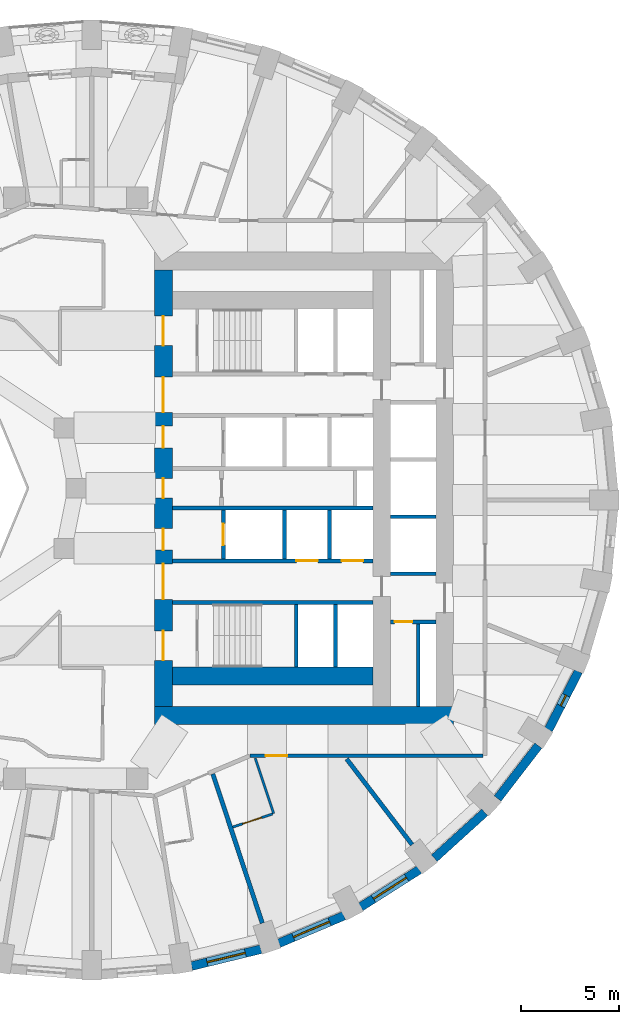
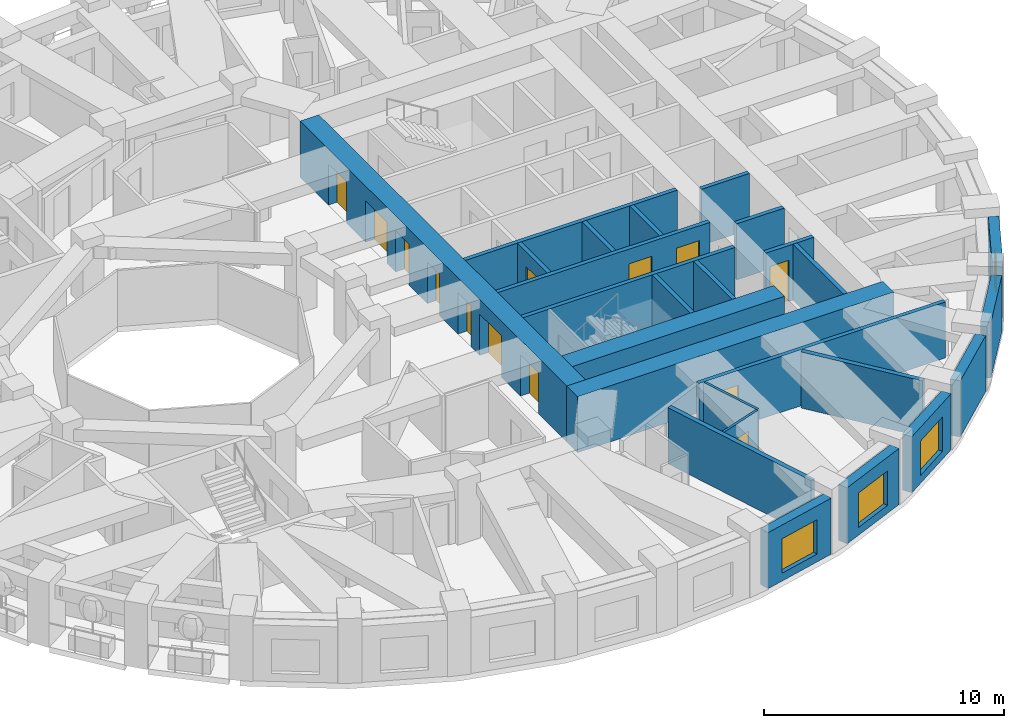
# One storey, part 5 of 12: 26 walls, 13 doors, 4 windows, 17 openings.
"""IFC4 building model written with IfcOpenShell, lengths in metres."""

import ifcopenshell
import ifcopenshell.guid

model = None  # the IFC model being written
_history = None  # IfcOwnerHistory: only IFC2X3 demands one
_inside = {}  # id of a spatial element -> (the spatial element, [elements in it])
_under = {}  # id of a project, library or spatial element -> (it, [spatial elements below it])
_declared = {}  # id of a project -> (the project, [libraries it declares])
_typed = {}  # id of a type object -> (the type object, [elements of that type])
_made_of = {}  # id of a material, layer set ... -> (it, [elements and type objects made of it])


def new_model(schema):
    """Start an empty IFC model of exactly this schema.

    Asked for "IFC4X3", IfcOpenShell would pick the latest addendum, in which some entities
    have other attributes; the version numbers below select the first issue.
    IFC2X3 requires an IfcOwnerHistory on every rooted entity: one is made here for all.
    """
    global model, _history
    if schema == "IFC4X3":
        model = ifcopenshell.file(schema_version=(4, 3, 0, 0))
    else:
        model = ifcopenshell.file(schema=schema)
    _inside.clear()
    _under.clear()
    _declared.clear()
    _typed.clear()
    _made_of.clear()
    _history = None
    if model.schema == "IFC2X3":
        org = make("IfcOrganization", Name="unknown")
        user = make(
            "IfcPersonAndOrganization",
            ThePerson=make("IfcPerson", FamilyName="unknown"),
            TheOrganization=org,
        )
        app = make(
            "IfcApplication",
            ApplicationDeveloper=org,
            Version="unknown",
            ApplicationFullName="unknown",
            ApplicationIdentifier="unknown",
        )
        _history = make(
            "IfcOwnerHistory",
            OwningUser=user,
            OwningApplication=app,
            ChangeAction="ADDED",
            CreationDate=0,
        )
    return model


def make(cls, **values):
    """One entity of the class cls with the attributes given. An attribute that is None is left unset."""
    return model.create_entity(
        cls, **{name: value for name, value in values.items() if value is not None}
    )


def rooted(cls, **values):
    """An entity with a GlobalId (a new one), such as an element, a storey or a relation."""
    return make(cls, GlobalId=ifcopenshell.guid.new(), OwnerHistory=_history, **values)


def si_unit(unit_type, name, prefix=None):
    """IfcSIUnit, for example si_unit("LENGTHUNIT", "METRE", prefix="MILLI")."""
    return make("IfcSIUnit", UnitType=unit_type, Prefix=prefix, Name=name)


def assignment(units):
    """IfcUnitAssignment: the units of a project."""
    return None if units is None else make("IfcUnitAssignment", Units=units)


def point(xyz):
    """IfcCartesianPoint."""
    return None if xyz is None else make("IfcCartesianPoint", Coordinates=xyz)


def direction(xyz):
    """IfcDirection."""
    return None if xyz is None else make("IfcDirection", DirectionRatios=xyz)


def frame(location, z_axis=None, x_axis=None):
    """IfcAxis2Placement3D, a coordinate frame: its origin and axes. An axis left out is left unset."""
    return make(
        "IfcAxis2Placement3D",
        Location=point(location),
        Axis=direction(z_axis),
        RefDirection=direction(x_axis),
    )


def frame_2d(location, x_axis=None):
    """IfcAxis2Placement2D, a coordinate frame in the plane: its origin and x axis."""
    return make(
        "IfcAxis2Placement2D", Location=point(location), RefDirection=direction(x_axis)
    )


def origin():
    """The frame at (0, 0, 0) with its axes left unset."""
    return frame((0.0, 0.0, 0.0))


def place(relative_to, where):
    """IfcLocalPlacement: puts the frame where relative to a parent placement (None: the world)."""
    return make(
        "IfcLocalPlacement", PlacementRelTo=relative_to, RelativePlacement=where
    )


def context(
    kind, dimensions, precision=None, world=None, true_north=None, identifier=None
):
    """IfcGeometricRepresentationContext, for example the 3D "Model" context."""
    return make(
        "IfcGeometricRepresentationContext",
        ContextIdentifier=identifier,
        ContextType=kind,
        CoordinateSpaceDimension=dimensions,
        Precision=precision,
        WorldCoordinateSystem=world,
        TrueNorth=true_north,
    )


def subcontext(parent, identifier, kind, view, scale=None):
    """IfcGeometricRepresentationSubContext, for example "Body" below "Model"."""
    return make(
        "IfcGeometricRepresentationSubContext",
        ContextIdentifier=identifier,
        ContextType=kind,
        ParentContext=parent,
        TargetScale=scale,
        TargetView=view,
    )


def project(units=None, contexts=None):
    """IfcProject with its units and contexts."""
    return rooted(
        "IfcProject",
        Name="project",
        RepresentationContexts=contexts,
        UnitsInContext=assignment(units),
    )


def spatial(cls, under=None, at=None, **own):
    """A site, building, storey or space (cls), placed at a placement, below another one or the project."""
    s = rooted(cls, ObjectPlacement=at, **own)
    if under is not None:
        _under.setdefault(under.id(), (under, []))[1].append(s)
    return s


def profile(cls, at=None, kind="AREA", **sizes):
    """A parametric profile (cls). Its sizes go by their IFC names, for example OverallWidth=200.0."""
    return make(cls, ProfileType=kind, Position=at, **sizes)


def rectangle(**sizes):
    """IfcRectangleProfileDef."""
    return profile("IfcRectangleProfileDef", **sizes)


def extrude(swept, where, along, depth):
    """IfcExtrudedAreaSolid: the profile swept, set in the frame where, extruded along a direction by depth."""
    return make(
        "IfcExtrudedAreaSolid",
        SweptArea=swept,
        Position=where,
        ExtrudedDirection=direction(along),
        Depth=depth,
    )


def shape(context_of_items, identifier, shape_type, items):
    """IfcShapeRepresentation: the items that make up one representation, for example the "Body"."""
    return make(
        "IfcShapeRepresentation",
        ContextOfItems=context_of_items,
        RepresentationIdentifier=identifier,
        RepresentationType=shape_type,
        Items=items,
    )


def material(Name=None, Category=None):
    """IfcMaterial."""
    return make("IfcMaterial", Name=Name, Category=Category)


def layer(
    of_material, thickness, ventilated=None, Name=None, Category=None, Priority=None
):
    """IfcMaterialLayer: one layer of a wall or slab, of a material (None: an air gap)."""
    return make(
        "IfcMaterialLayer",
        Material=of_material,
        LayerThickness=thickness,
        IsVentilated=ventilated,
        Name=Name,
        Category=Category,
        Priority=Priority,
    )


def layer_set(layers, Name=None):
    """IfcMaterialLayerSet."""
    return make("IfcMaterialLayerSet", MaterialLayers=layers, LayerSetName=Name)


def made_of(thing, what):
    """Note that an element or type object is made of a material, layer set ...; save() writes the relation."""
    if what is not None:
        _made_of.setdefault(what.id(), (what, []))[1].append(thing)
    return thing


def type_object(cls, material=None, **own):
    """A type object (cls), such as IfcWallType, which elements share."""
    return made_of(rooted(cls, **own), material)


def element(
    cls,
    number,
    at=None,
    inside=None,
    cuts=None,
    type_object=None,
    material=None,
    context=None,
    identifier="Body",
    shape_type=None,
    held_by="IfcProductDefinitionShape",
    body=None,
    shapes=None,
    **own,
):
    """One element of the class cls, such as IfcWall. Its Tag is "e" and its number.

    at: its placement. inside: the storey or other place that contains it. cuts: it is an
    opening in that element (IfcRelVoidsElement). A single representation is given by context,
    identifier, shape_type and body (its items); several are given by shapes. held_by: the class
    of the entity that holds the representations. save() writes the other relations.
    """
    e = rooted(cls, Tag="e%d" % number, ObjectPlacement=at, **own)
    if body is not None:
        shapes = [shape(context, identifier, shape_type, body)]
    if shapes is not None:
        e.Representation = make(held_by, Representations=shapes)
    if inside is not None:
        _inside.setdefault(inside.id(), (inside, []))[1].append(e)
    if cuts is not None:
        rooted(
            "IfcRelVoidsElement", RelatingBuildingElement=cuts, RelatedOpeningElement=e
        )
    if type_object is not None:
        _typed.setdefault(type_object.id(), (type_object, []))[1].append(e)
    return made_of(e, material)


def fill(opening, filler):
    """IfcRelFillsElement: the door or window that sits in an opening."""
    return rooted(
        "IfcRelFillsElement",
        RelatingOpeningElement=opening,
        RelatedBuildingElement=filler,
    )


def aggregate(whole, parts):
    """IfcRelAggregates: a whole, such as a stair, and the parts it consists of."""
    return rooted("IfcRelAggregates", RelatingObject=whole, RelatedObjects=parts)


def save(model, path):
    """Write the relations noted so far, then the file.

    IfcRelAggregates (storeys below a building ...), IfcRelContainedInSpatialStructure (elements
    in a storey), IfcRelDefinesByType, IfcRelAssociatesMaterial and IfcRelDeclares: one each for
    every whole, place, type object, material and project.
    """
    for whole, parts in _under.values():
        aggregate(whole, parts)
    for where, things in _inside.values():
        rooted(
            "IfcRelContainedInSpatialStructure",
            RelatedElements=things,
            RelatingStructure=where,
        )
    for kind, things in _typed.values():
        rooted("IfcRelDefinesByType", RelatedObjects=things, RelatingType=kind)
    for what, things in _made_of.values():
        rooted("IfcRelAssociatesMaterial", RelatedObjects=things, RelatingMaterial=what)
    for by, libraries in _declared.values():
        rooted("IfcRelDeclares", RelatingContext=by, RelatedDefinitions=libraries)
    model.write(path)


model = new_model("IFC4")

# Units and contexts
model_context = context("Model", 3, precision=1e-05, world=origin(), true_north=direction((0.0, 1.0)))
body_context = subcontext(model_context, "Body", "Model", "MODEL_VIEW")
ifc_project = project(units=[si_unit("LENGTHUNIT", "METRE"), si_unit("AREAUNIT", "SQUARE_METRE"), si_unit("VOLUMEUNIT", "CUBIC_METRE"), si_unit("PLANEANGLEUNIT", "RADIAN"), si_unit("MASSUNIT", "GRAM", prefix="KILO")], contexts=[model_context])

# Site, building, storey
site_placement = place(None, origin())
site = spatial("IfcSite", under=ifc_project, at=site_placement, CompositionType="ELEMENT")
building_placement = place(site_placement, origin())
building = spatial("IfcBuilding", under=site, at=building_placement, Name="Taillehof Tower", CompositionType="ELEMENT")
storey_placement = place(building_placement, frame((0.0, 0.0, 131.800048828125)))
storey = spatial("IfcBuildingStorey", under=building, at=storey_placement, Name="L37", CompositionType="ELEMENT", Elevation=131.800048828125)

# Wall, opening, window
ifc_material_1 = material(Name="Brick masonry", Category="masonry")
ifc_layer_1 = layer(ifc_material_1, 0.449951171875)
ifc_layer_set_1 = layer_set([ifc_layer_1], Name="Brick infill wall 450")
wall_type_1 = type_object("IfcWallType", Name="Brick infill wall 450", PredefinedType="SOLIDWALL", material=ifc_layer_set_1)
wall_1_placement = place(storey_placement, frame((5.87451171875, -24.29443359375, 0.0), z_axis=(0.0, 0.0, 1.0), x_axis=(0.971667603162, 0.236351579148, 0.0)))
wall_1 = element("IfcWall", 1, at=wall_1_placement, inside=storey, type_object=wall_type_1, Name="Brick wall L37 bay 29", PredefinedType="SOLIDWALL", context=body_context, shape_type="SweptSolid", body=[
    extrude(rectangle(XDim=3.635009765625, YDim=0.449951171875, at=frame_2d((1.8173828125, 0.0))), origin(), (0.0, 0.0, 1.0), 2.849853515625),
])
opening_1_placement = place(wall_1_placement, frame((0.8173828125, 0.0, 0.39990234375)))
opening_1 = element("IfcOpeningElement", 2, at=opening_1_placement, cuts=wall_1, Name="Opening W2", PredefinedType="OPENING", context=body_context, shape_type="SweptSolid", body=[
    extrude(rectangle(XDim=2.0, YDim=1.75, at=frame_2d((1.0, 0.875))), frame((0.0, 0.23486328125, 0.0), z_axis=(0.0, -1.0, 0.0), x_axis=(1.0, 0.0, 0.0)), (0.0, 0.0, 1.0), 0.469970703125),
])
ifc_material_2 = material(Name="Aluminium window frame with clear double glazing", Category="aluminium")
window_type_1 = type_object("IfcWindowType", Name="Deep-set window 2000x1750", PartitioningType="SINGLE_PANEL", PredefinedType="WINDOW", material=ifc_material_2)
window_1_placement = place(opening_1_placement, origin())
window_1 = element("IfcWindow", 3, at=window_1_placement, inside=storey, type_object=window_type_1, Name="W2", OverallHeight=1.75, OverallWidth=2.0, PartitioningType="SINGLE_PANEL", PredefinedType="WINDOW", context=body_context, shape_type="SweptSolid", body=[
    extrude(rectangle(XDim=2.0, YDim=1.75, at=frame_2d((1.0, 0.875))), frame((0.0, 0.034912109375, 0.0), z_axis=(0.0, -1.0, 0.0), x_axis=(1.0, 0.0, 0.0)), (0.0, 0.0, 1.0), 0.06005859375),
])
fill(opening_1, window_1)

wall_2_placement = place(storey_placement, frame((10.318115234375, -23.133544921875, 0.0), z_axis=(0.0, 0.0, 1.0), x_axis=(0.920869643542, 0.389870619055, 0.0)))
wall_2 = element("IfcWall", 4, at=wall_2_placement, inside=storey, type_object=wall_type_1, Name="Brick wall L37 bay 30", PredefinedType="SOLIDWALL", context=body_context, shape_type="SweptSolid", body=[
    extrude(rectangle(XDim=3.59130859375, YDim=0.449951171875, at=frame_2d((1.795654296875, 0.0))), origin(), (0.0, 0.0, 1.0), 2.849853515625),
])
opening_2_placement = place(wall_2_placement, frame((0.795654296875, 0.0, 0.39990234375)))
opening_2 = element("IfcOpeningElement", 5, at=opening_2_placement, cuts=wall_2, Name="Opening W2", PredefinedType="OPENING", context=body_context, shape_type="SweptSolid", body=[
    extrude(rectangle(XDim=2.0, YDim=1.75, at=frame_2d((1.0, 0.875))), frame((0.0, 0.23486328125, 0.0), z_axis=(0.0, -1.0, 0.0), x_axis=(1.0, 0.0, 0.0)), (0.0, 0.0, 1.0), 0.469970703125),
])
window_2_placement = place(opening_2_placement, origin())
window_2 = element("IfcWindow", 6, at=window_2_placement, inside=storey, type_object=window_type_1, Name="W2", OverallHeight=1.75, OverallWidth=2.0, PartitioningType="SINGLE_PANEL", PredefinedType="WINDOW", context=body_context, shape_type="SweptSolid", body=[
    extrude(rectangle(XDim=2.0, YDim=1.75, at=frame_2d((1.0, 0.875))), frame((0.0, 0.034912109375, 0.0), z_axis=(0.0, -1.0, 0.0), x_axis=(1.0, 0.0, 0.0)), (0.0, 0.0, 1.0), 0.06005859375),
])
fill(opening_2, window_2)

wall_3_placement = place(storey_placement, frame((14.475341796875, -21.287109375, 0.0), z_axis=(0.0, 0.0, 1.0), x_axis=(0.843911841423, 0.536481876587, 0.0)))
wall_3 = element("IfcWall", 7, at=wall_3_placement, inside=storey, type_object=wall_type_1, Name="Brick wall L37 bay 31", PredefinedType="SOLIDWALL", context=body_context, shape_type="SweptSolid", body=[
    extrude(rectangle(XDim=3.5322265625, YDim=0.449951171875, at=frame_2d((1.76611328125, 0.0))), origin(), (0.0, 0.0, 1.0), 2.849853515625),
])
opening_3_placement = place(wall_3_placement, frame((0.76611328125, 0.0, 0.39990234375)))
opening_3 = element("IfcOpeningElement", 8, at=opening_3_placement, cuts=wall_3, Name="Opening W2", PredefinedType="OPENING", context=body_context, shape_type="SweptSolid", body=[
    extrude(rectangle(XDim=2.0, YDim=1.75, at=frame_2d((1.0, 0.875))), frame((0.0, 0.23486328125, 0.0), z_axis=(0.0, -1.0, 0.0), x_axis=(1.0, 0.0, 0.0)), (0.0, 0.0, 1.0), 0.469970703125),
])
window_3_placement = place(opening_3_placement, origin())
window_3 = element("IfcWindow", 9, at=window_3_placement, inside=storey, type_object=window_type_1, Name="W2", OverallHeight=1.75, OverallWidth=2.0, PartitioningType="SINGLE_PANEL", PredefinedType="WINDOW", context=body_context, shape_type="SweptSolid", body=[
    extrude(rectangle(XDim=2.0, YDim=1.75, at=frame_2d((1.0, 0.875))), frame((0.0, 0.034912109375, 0.0), z_axis=(0.0, -1.0, 0.0), x_axis=(1.0, 0.0, 0.0)), (0.0, 0.0, 1.0), 0.06005859375),
])
fill(opening_3, window_3)

# Walls
wall_4_placement = place(storey_placement, frame((18.219482421875, -18.8095703125, 0.0), z_axis=(0.0, 0.0, 1.0), x_axis=(0.740364106106, 0.672206062446, 0.0)))
element("IfcWall", 10, at=wall_4_placement, inside=storey, type_object=wall_type_1, Name="Brick wall L37 bay 32", PredefinedType="SOLIDWALL", context=body_context, shape_type="SweptSolid", body=[
    extrude(rectangle(XDim=3.4638671875, YDim=0.449951171875, at=frame_2d((1.73193359375, 0.0))), origin(), (0.0, 0.0, 1.0), 2.849853515625),
])
wall_5_placement = place(storey_placement, frame((21.43505859375, -15.775390625, 0.0), z_axis=(0.0, 0.0, 1.0), x_axis=(0.610693945156, 0.791866721961, 0.0)))
element("IfcWall", 11, at=wall_5_placement, inside=storey, type_object=wall_type_1, Name="Brick wall L37 bay 33", PredefinedType="SOLIDWALL", context=body_context, shape_type="SweptSolid", body=[
    extrude(rectangle(XDim=3.39453125, YDim=0.449951171875, at=frame_2d((1.697265625, 0.0))), origin(), (0.0, 0.0, 1.0), 2.849853515625),
])

# Wall, opening, window
wall_6_placement = place(storey_placement, frame((24.022705078125, -12.27685546875, 0.0), z_axis=(0.0, 0.0, 1.0), x_axis=(0.456828186229, 0.889554949549, 0.0)))
wall_6 = element("IfcWall", 12, at=wall_6_placement, inside=storey, type_object=wall_type_1, Name="Brick wall L37 bay 34", PredefinedType="SOLIDWALL", context=body_context, shape_type="SweptSolid", body=[
    extrude(rectangle(XDim=3.332763671875, YDim=0.449951171875, at=frame_2d((1.66650390625, 0.0))), origin(), (0.0, 0.0, 1.0), 2.849853515625),
])
opening_4_placement = place(wall_6_placement, frame((1.366455078125, 0.0, 0.39990234375)))
opening_4 = element("IfcOpeningElement", 13, at=opening_4_placement, cuts=wall_6, Name="Opening W6", PredefinedType="OPENING", context=body_context, shape_type="SweptSolid", body=[
    extrude(rectangle(XDim=0.60009765625, YDim=1.75, at=frame_2d((0.300048828125, 0.875))), frame((0.0, 0.23486328125, 0.0), z_axis=(0.0, -1.0, 0.0), x_axis=(1.0, 0.0, 0.0)), (0.0, 0.0, 1.0), 0.469970703125),
])
ifc_material_3 = material(Name="Aluminium window frame with clear double glazing", Category="aluminium")
window_type_2 = type_object("IfcWindowType", Name="Slot window 600x1750", PartitioningType="SINGLE_PANEL", PredefinedType="WINDOW", material=ifc_material_3)
window_4_placement = place(opening_4_placement, origin())
window_4 = element("IfcWindow", 14, at=window_4_placement, inside=storey, type_object=window_type_2, Name="W6", OverallHeight=1.75, OverallWidth=0.60009765625, PartitioningType="SINGLE_PANEL", PredefinedType="WINDOW", context=body_context, shape_type="SweptSolid", body=[
    extrude(rectangle(XDim=0.60009765625, YDim=1.75, at=frame_2d((0.300048828125, 0.875))), frame((0.0, 0.034912109375, 0.0), z_axis=(0.0, -1.0, 0.0), x_axis=(1.0, 0.0, 0.0)), (0.0, 0.0, 1.0), 0.06005859375),
])
fill(opening_4, window_4)

# Wall, opening, door
ifc_material_4 = material(Name="Calcium silicate masonry", Category="masonry")
ifc_layer_2 = layer(ifc_material_4, 0.199951171875)
ifc_layer_set_2 = layer_set([ifc_layer_2], Name="Compartment wall calcium silicate 200")
wall_type_2 = type_object("IfcWallType", Name="Compartment wall calcium silicate 200", PredefinedType="PARTITIONING", material=ifc_layer_set_2)
wall_7_placement = place(storey_placement, frame((16.0, -6.800048828125, 0.0), z_axis=(0.0, 0.0, 1.0), x_axis=(1.0, 0.0, 0.0)))
wall_7 = element("IfcWall", 15, at=wall_7_placement, inside=storey, type_object=wall_type_2, Name="Compartment wall FW", PredefinedType="PARTITIONING", context=body_context, shape_type="SweptSolid", body=[
    extrude(rectangle(XDim=2.300048828125, YDim=0.199951171875, at=frame_2d((1.14990234375, 0.0))), origin(), (0.0, 0.0, 1.0), 2.849853515625),
])
opening_5_placement = place(wall_7_placement, frame((0.199951171875, 0.0, 0.0)))
opening_5 = element("IfcOpeningElement", 16, at=opening_5_placement, cuts=wall_7, Name="Opening D3718", PredefinedType="OPENING", context=body_context, shape_type="SweptSolid", body=[
    extrude(rectangle(XDim=0.89990234375, YDim=2.10009765625, at=frame_2d((0.449951171875, 1.050048828125))), frame((0.0, 0.10986328125, 0.0), z_axis=(0.0, -1.0, 0.0), x_axis=(1.0, 0.0, 0.0)), (0.0, 0.0, 1.0), 0.219970703125),
])
ifc_material_5 = material(Name="Steel-faced fire door", Category="steel")
door_type_1 = type_object("IfcDoorType", Name="Riser and service room door 900x2100", OperationType="SINGLE_SWING_LEFT", PredefinedType="DOOR", material=ifc_material_5)
door_1_placement = place(opening_5_placement, origin())
door_1 = element("IfcDoor", 17, at=door_1_placement, inside=storey, type_object=door_type_1, Name="Door Housekeeping Store", OperationType="SINGLE_SWING_LEFT", OverallHeight=2.10009765625, OverallWidth=0.89990234375, PredefinedType="DOOR", context=body_context, shape_type="SweptSolid", body=[
    extrude(rectangle(XDim=0.89990234375, YDim=2.10009765625, at=frame_2d((0.449951171875, 1.050048828125))), frame((0.0, 0.02490234375, 0.0), z_axis=(0.0, -1.0, 0.0), x_axis=(1.0, 0.0, 0.0)), (0.0, 0.0, 1.0), 0.050048828125),
])
fill(opening_5, door_1)

# Wall
wall_8_placement = place(storey_placement, frame((17.39990234375, -11.10009765625, 0.0), z_axis=(0.0, 0.0, 1.0), x_axis=(0.0, 1.0, 0.0)))
element("IfcWall", 18, at=wall_8_placement, inside=storey, type_object=wall_type_2, Name="Compartment wall FW", PredefinedType="PARTITIONING", context=body_context, shape_type="SweptSolid", body=[
    extrude(rectangle(XDim=4.2001953125, YDim=0.199951171875, at=frame_2d((2.10009765625, 0.0))), origin(), (0.0, 0.0, 1.0), 2.849853515625),
])

# Wall, opening, door
ifc_material_6 = material(Name="Gypsum board on steel studs, two layers each side", Category="steel")
ifc_layer_3 = layer(ifc_material_6, 0.199951171875)
ifc_layer_set_3 = layer_set([ifc_layer_3], Name="Compartment wall corridor 200")
wall_type_3 = type_object("IfcWallType", Name="Compartment wall corridor 200", PredefinedType="PARTITIONING", material=ifc_layer_set_3)
wall_9_placement = place(storey_placement, frame((20.699951171875, -13.60009765625, 0.0), z_axis=(0.0, 0.0, 1.0), x_axis=(-1.0, 0.0, 0.0)))
wall_9 = element("IfcWall", 19, at=wall_9_placement, inside=storey, type_object=wall_type_3, Name="Compartment wall", PredefinedType="PARTITIONING", context=body_context, shape_type="SweptSolid", body=[
    extrude(rectangle(XDim=11.845458984375, YDim=0.199951171875, at=frame_2d((5.9228515625, 0.0))), origin(), (0.0, 0.0, 1.0), 2.849853515625),
])
opening_6_placement = place(wall_9_placement, frame((9.954345703125, 0.0, 0.0)))
opening_6 = element("IfcOpeningElement", 20, at=opening_6_placement, cuts=wall_9, Name="Opening D3762", PredefinedType="OPENING", context=body_context, shape_type="SweptSolid", body=[
    extrude(rectangle(XDim=1.10009765625, YDim=2.10009765625, at=frame_2d((0.550048828125, 1.050048828125))), frame((0.0, 0.10986328125, 0.0), z_axis=(0.0, -1.0, 0.0), x_axis=(1.0, 0.0, 0.0)), (0.0, 0.0, 1.0), 0.219970703125),
])
ifc_material_7 = material(Name="Timber door leaf in steel frame", Category="steel")
door_type_2 = type_object("IfcDoorType", Name="Accessible guest room door EI 30 1100 x 2100", OperationType="SINGLE_SWING_LEFT", PredefinedType="DOOR", material=ifc_material_7)
door_2_placement = place(opening_6_placement, origin())
door_2 = element("IfcDoor", 21, at=door_2_placement, inside=storey, type_object=door_type_2, Name="D3762", OperationType="SINGLE_SWING_RIGHT", OverallHeight=2.10009765625, OverallWidth=1.10009765625, PredefinedType="DOOR", context=body_context, shape_type="SweptSolid", body=[
    extrude(rectangle(XDim=1.10009765625, YDim=2.10009765625, at=frame_2d((0.550048828125, 1.050048828125))), frame((0.0, 0.02490234375, 0.0), z_axis=(0.0, -1.0, 0.0), x_axis=(1.0, 0.0, 0.0)), (0.0, 0.0, 1.0), 0.050048828125),
])
fill(opening_6, door_2)

# Walls
ifc_material_8 = material(Name="Gypsum board on double steel studs with mineral wool", Category="steel")
ifc_layer_4 = layer(ifc_material_8, 0.219970703125)
ifc_layer_set_4 = layer_set([ifc_layer_4], Name="Compartment wall guest room 220")
wall_type_4 = type_object("IfcWallType", Name="Compartment wall guest room 220", PredefinedType="PARTITIONING", material=ifc_layer_set_4)
wall_10_placement = place(storey_placement, frame((9.4736328125, -22.11181640625, 0.0), z_axis=(0.0, 0.0, 1.0), x_axis=(-0.314540101072, 0.949244186086, 0.0)))
element("IfcWall", 22, at=wall_10_placement, inside=storey, type_object=wall_type_4, Name="Compartment wall", PredefinedType="PARTITIONING", context=body_context, shape_type="SweptSolid", body=[
    extrude(rectangle(XDim=7.98779296875, YDim=0.219970703125, at=frame_2d((3.993896484375, 0.0))), origin(), (0.0, 0.0, 1.0), 2.849853515625),
])
wall_11_placement = place(storey_placement, frame((17.08935546875, -18.120849609375, 0.0), z_axis=(0.0, 0.0, 1.0), x_axis=(-0.607064955951, 0.794652212767, 0.0)))
element("IfcWall", 23, at=wall_11_placement, inside=storey, type_object=wall_type_4, Name="Compartment wall", PredefinedType="PARTITIONING", context=body_context, shape_type="SweptSolid", body=[
    extrude(rectangle(XDim=5.483154296875, YDim=0.219970703125, at=frame_2d((2.74169921875, 0.0))), origin(), (0.0, 0.0, 1.0), 2.849853515625),
])

# Wall, openings, doors
ifc_material_9 = material(Name="Concrete C80/95", Category="concrete")
ifc_layer_5 = layer(ifc_material_9, 0.89990234375)
ifc_layer_set_5 = layer_set([ifc_layer_5], Name="Core wall C80/95 900")
wall_type_5 = type_object("IfcWallType", Name="Core wall C80/95 900", PredefinedType="SHEAR", material=ifc_layer_set_5)
wall_12_placement = place(storey_placement, frame((4.449951171875, -11.10009765625, 0.0), z_axis=(0.0, 0.0, 1.0), x_axis=(0.0, 1.0, 0.0)))
wall_12 = element("IfcWall", 24, at=wall_12_placement, inside=storey, type_object=wall_type_5, Name="Core wall CW01", PredefinedType="SHEAR", context=body_context, shape_type="SweptSolid", body=[
    extrude(rectangle(XDim=22.2001953125, YDim=0.89990234375, at=frame_2d((11.10009765625, 0.0))), origin(), (0.0, 0.0, 1.0), 2.849853515625),
])
opening_7_placement = place(wall_12_placement, frame((2.35009765625, 0.0, 0.0)))
opening_7 = element("IfcOpeningElement", 25, at=opening_7_placement, cuts=wall_12, Name="Opening D3701", PredefinedType="OPENING", context=body_context, shape_type="SweptSolid", body=[
    extrude(rectangle(XDim=1.5, YDim=2.10009765625, at=frame_2d((0.75, 1.050048828125))), frame((0.0, 0.4599609375, 0.0), z_axis=(0.0, -1.0, 0.0), x_axis=(1.0, 0.0, 0.0)), (0.0, 0.0, 1.0), 0.919921875),
])
opening_8_placement = place(wall_12_placement, frame((5.449951171875, 0.0, 0.0)))
opening_8 = element("IfcOpeningElement", 26, at=opening_8_placement, cuts=wall_12, Name="Opening D3702", PredefinedType="OPENING", context=body_context, shape_type="SweptSolid", body=[
    extrude(rectangle(XDim=1.800048828125, YDim=2.10009765625, at=frame_2d((0.89990234375, 1.050048828125))), frame((0.0, 0.4599609375, 0.0), z_axis=(0.0, -1.0, 0.0), x_axis=(1.0, 0.0, 0.0)), (0.0, 0.0, 1.0), 0.919921875),
])
opening_9_placement = place(wall_12_placement, frame((7.949951171875, 0.0, 0.0)))
opening_9 = element("IfcOpeningElement", 27, at=opening_9_placement, cuts=wall_12, Name="Opening D3703", PredefinedType="OPENING", context=body_context, shape_type="SweptSolid", body=[
    extrude(rectangle(XDim=1.10009765625, YDim=2.10009765625, at=frame_2d((0.550048828125, 1.050048828125))), frame((0.0, 0.4599609375, 0.0), z_axis=(0.0, -1.0, 0.0), x_axis=(1.0, 0.0, 0.0)), (0.0, 0.0, 1.0), 0.919921875),
])
opening_10_placement = place(wall_12_placement, frame((10.60009765625, 0.0, 0.0)))
opening_10 = element("IfcOpeningElement", 28, at=opening_10_placement, cuts=wall_12, Name="Opening D3704", PredefinedType="OPENING", context=body_context, shape_type="SweptSolid", body=[
    extrude(rectangle(XDim=1.0, YDim=2.10009765625, at=frame_2d((0.5, 1.050048828125))), frame((0.0, 0.4599609375, 0.0), z_axis=(0.0, -1.0, 0.0), x_axis=(1.0, 0.0, 0.0)), (0.0, 0.0, 1.0), 0.919921875),
])
opening_11_placement = place(wall_12_placement, frame((13.14990234375, 0.0, 0.0)))
opening_11 = element("IfcOpeningElement", 29, at=opening_11_placement, cuts=wall_12, Name="Opening D3705", PredefinedType="OPENING", context=body_context, shape_type="SweptSolid", body=[
    extrude(rectangle(XDim=1.10009765625, YDim=2.10009765625, at=frame_2d((0.550048828125, 1.050048828125))), frame((0.0, 0.4599609375, 0.0), z_axis=(0.0, -1.0, 0.0), x_axis=(1.0, 0.0, 0.0)), (0.0, 0.0, 1.0), 0.919921875),
])
opening_12_placement = place(wall_12_placement, frame((14.949951171875, 0.0, 0.0)))
opening_12 = element("IfcOpeningElement", 30, at=opening_12_placement, cuts=wall_12, Name="Opening D3706", PredefinedType="OPENING", context=body_context, shape_type="SweptSolid", body=[
    extrude(rectangle(XDim=1.800048828125, YDim=2.10009765625, at=frame_2d((0.89990234375, 1.050048828125))), frame((0.0, 0.4599609375, 0.0), z_axis=(0.0, -1.0, 0.0), x_axis=(1.0, 0.0, 0.0)), (0.0, 0.0, 1.0), 0.919921875),
])
opening_13_placement = place(wall_12_placement, frame((18.35009765625, 0.0, 0.0)))
opening_13 = element("IfcOpeningElement", 31, at=opening_13_placement, cuts=wall_12, Name="Opening D3707", PredefinedType="OPENING", context=body_context, shape_type="SweptSolid", body=[
    extrude(rectangle(XDim=1.5, YDim=2.10009765625, at=frame_2d((0.75, 1.050048828125))), frame((0.0, 0.4599609375, 0.0), z_axis=(0.0, -1.0, 0.0), x_axis=(1.0, 0.0, 0.0)), (0.0, 0.0, 1.0), 0.919921875),
])
ifc_material_10 = material(Name="Steel-faced fire door", Category="steel")
door_type_3 = type_object("IfcDoorType", Name="Firefighting lobby door 1100x2100", OperationType="SINGLE_SWING_RIGHT", PredefinedType="DOOR", material=ifc_material_10)
door_3_placement = place(opening_9_placement, origin())
door_3 = element("IfcDoor", 32, at=door_3_placement, inside=storey, type_object=door_type_3, Name="Firefighting lobby door FFL-S", OperationType="SINGLE_SWING_RIGHT", OverallHeight=2.10009765625, OverallWidth=1.10009765625, PredefinedType="DOOR", context=body_context, shape_type="SweptSolid", body=[
    extrude(rectangle(XDim=1.10009765625, YDim=2.10009765625, at=frame_2d((0.550048828125, 1.050048828125))), frame((0.0, 0.02490234375, 0.0), z_axis=(0.0, -1.0, 0.0), x_axis=(1.0, 0.0, 0.0)), (0.0, 0.0, 1.0), 0.050048828125),
])
fill(opening_9, door_3)
door_4_placement = place(opening_11_placement, origin())
door_4 = element("IfcDoor", 33, at=door_4_placement, inside=storey, type_object=door_type_3, Name="Firefighting lobby door FFL-N", OperationType="SINGLE_SWING_LEFT", OverallHeight=2.10009765625, OverallWidth=1.10009765625, PredefinedType="DOOR", context=body_context, shape_type="SweptSolid", body=[
    extrude(rectangle(XDim=1.10009765625, YDim=2.10009765625, at=frame_2d((0.550048828125, 1.050048828125))), frame((0.0, 0.02490234375, 0.0), z_axis=(0.0, -1.0, 0.0), x_axis=(1.0, 0.0, 0.0)), (0.0, 0.0, 1.0), 0.050048828125),
])
fill(opening_11, door_4)
ifc_material_11 = material(Name="Steel-faced fire door", Category="steel")
door_type_4 = type_object("IfcDoorType", Name="Lift lobby door 1800x2100", OperationType="DOUBLE_DOOR_SINGLE_SWING", PredefinedType="DOOR", material=ifc_material_11)
door_5_placement = place(opening_8_placement, origin())
door_5 = element("IfcDoor", 34, at=door_5_placement, inside=storey, type_object=door_type_4, Name="Lift lobby door LL-S", OperationType="DOUBLE_DOOR_SINGLE_SWING", OverallHeight=2.10009765625, OverallWidth=1.800048828125, PredefinedType="DOOR", context=body_context, shape_type="SweptSolid", body=[
    extrude(rectangle(XDim=1.800048828125, YDim=2.10009765625, at=frame_2d((0.89990234375, 1.050048828125))), frame((0.0, 0.02490234375, 0.0), z_axis=(0.0, -1.0, 0.0), x_axis=(1.0, 0.0, 0.0)), (0.0, 0.0, 1.0), 0.050048828125),
])
fill(opening_8, door_5)
door_6_placement = place(opening_12_placement, origin())
door_6 = element("IfcDoor", 35, at=door_6_placement, inside=storey, type_object=door_type_4, Name="Lift lobby door LL-N", OperationType="DOUBLE_DOOR_SINGLE_SWING", OverallHeight=2.10009765625, OverallWidth=1.800048828125, PredefinedType="DOOR", context=body_context, shape_type="SweptSolid", body=[
    extrude(rectangle(XDim=1.800048828125, YDim=2.10009765625, at=frame_2d((0.89990234375, 1.050048828125))), frame((0.0, 0.02490234375, 0.0), z_axis=(0.0, -1.0, 0.0), x_axis=(1.0, 0.0, 0.0)), (0.0, 0.0, 1.0), 0.050048828125),
])
fill(opening_12, door_6)
ifc_material_12 = material(Name="Steel-faced fire door", Category="steel")
door_type_5 = type_object("IfcDoorType", Name="Service door 1000x2100", OperationType="SINGLE_SWING_RIGHT", PredefinedType="DOOR", material=ifc_material_12)
door_7_placement = place(opening_10_placement, origin())
door_7 = element("IfcDoor", 36, at=door_7_placement, inside=storey, type_object=door_type_5, Name="Service door SV", OperationType="SINGLE_SWING_LEFT", OverallHeight=2.10009765625, OverallWidth=1.0, PredefinedType="DOOR", context=body_context, shape_type="SweptSolid", body=[
    extrude(rectangle(XDim=1.0, YDim=2.10009765625, at=frame_2d((0.5, 1.050048828125))), frame((0.0, 0.02490234375, 0.0), z_axis=(0.0, -1.0, 0.0), x_axis=(1.0, 0.0, 0.0)), (0.0, 0.0, 1.0), 0.050048828125),
])
fill(opening_10, door_7)
ifc_material_13 = material(Name="Steel-faced fire door", Category="steel")
door_type_6 = type_object("IfcDoorType", Name="Stair door 1500x2100", OperationType="DOUBLE_DOOR_SINGLE_SWING", PredefinedType="DOOR", material=ifc_material_13)
door_8_placement = place(opening_7_placement, origin())
door_8 = element("IfcDoor", 37, at=door_8_placement, inside=storey, type_object=door_type_6, Name="Stair door S2", OperationType="DOUBLE_DOOR_SINGLE_SWING", OverallHeight=2.10009765625, OverallWidth=1.5, PredefinedType="DOOR", context=body_context, shape_type="SweptSolid", body=[
    extrude(rectangle(XDim=1.5, YDim=2.10009765625, at=frame_2d((0.75, 1.050048828125))), frame((0.0, 0.02490234375, 0.0), z_axis=(0.0, -1.0, 0.0), x_axis=(1.0, 0.0, 0.0)), (0.0, 0.0, 1.0), 0.050048828125),
])
fill(opening_7, door_8)
door_9_placement = place(opening_13_placement, origin())
door_9 = element("IfcDoor", 38, at=door_9_placement, inside=storey, type_object=door_type_6, Name="Stair door S1", OperationType="DOUBLE_DOOR_SINGLE_SWING", OverallHeight=2.10009765625, OverallWidth=1.5, PredefinedType="DOOR", context=body_context, shape_type="SweptSolid", body=[
    extrude(rectangle(XDim=1.5, YDim=2.10009765625, at=frame_2d((0.75, 1.050048828125))), frame((0.0, 0.02490234375, 0.0), z_axis=(0.0, -1.0, 0.0), x_axis=(1.0, 0.0, 0.0)), (0.0, 0.0, 1.0), 0.050048828125),
])
fill(opening_13, door_9)

# Walls
wall_13_placement = place(storey_placement, frame((4.0, -11.550048828125, 0.0), z_axis=(0.0, 0.0, 1.0), x_axis=(1.0, 0.0, 0.0)))
element("IfcWall", 39, at=wall_13_placement, inside=storey, type_object=wall_type_5, Name="Core wall CW04", PredefinedType="SHEAR", context=body_context, shape_type="SweptSolid", body=[
    extrude(rectangle(XDim=15.199951171875, YDim=0.89990234375, at=frame_2d((7.60009765625, 0.0))), origin(), (0.0, 0.0, 1.0), 2.849853515625),
])
wall_14_placement = place(storey_placement, frame((4.89990234375, -9.550048828125, 0.0), z_axis=(0.0, 0.0, 1.0), x_axis=(1.0, 0.0, 0.0)))
element("IfcWall", 40, at=wall_14_placement, inside=storey, type_object=wall_type_5, Name="Core wall CW07", PredefinedType="SHEAR", context=body_context, shape_type="SweptSolid", body=[
    extrude(rectangle(XDim=10.2001953125, YDim=0.89990234375, at=frame_2d((5.10009765625, 0.0))), origin(), (0.0, 0.0, 1.0), 2.849853515625),
])
ifc_material_14 = material(Name="Gypsum board on steel studs, moisture resistant", Category="steel")
ifc_layer_6 = layer(ifc_material_14, 0.1201171875)
ifc_layer_set_6 = layer_set([ifc_layer_6], Name="En-suite wall 120")
wall_type_6 = type_object("IfcWallType", Name="En-suite wall 120", PredefinedType="PARTITIONING", material=ifc_layer_set_6)
wall_15_placement = place(storey_placement, frame((9.11572265625, -13.71923828125, 0.0), z_axis=(0.0, 0.0, 1.0), x_axis=(0.314476938086, -0.949265113344, 0.0)))
element("IfcWall", 41, at=wall_15_placement, inside=storey, type_object=wall_type_6, Name="En-suite wall", PredefinedType="PARTITIONING", context=body_context, shape_type="SweptSolid", body=[
    extrude(rectangle(XDim=2.970947265625, YDim=0.1201171875, at=frame_2d((1.4853515625, 0.0))), origin(), (0.0, 0.0, 1.0), 2.849853515625),
])

# Wall, opening, door
wall_16_placement = place(storey_placement, frame((9.992919921875, -16.55859375, 0.0), z_axis=(0.0, 0.0, 1.0), x_axis=(-0.94926636949, -0.314473146318, 0.0)))
wall_16 = element("IfcWall", 42, at=wall_16_placement, inside=storey, type_object=wall_type_6, Name="En-suite wall", PredefinedType="PARTITIONING", context=body_context, shape_type="SweptSolid", body=[
    extrude(rectangle(XDim=2.129638671875, YDim=0.1201171875, at=frame_2d((1.06494140625, 0.0))), origin(), (0.0, 0.0, 1.0), 2.849853515625),
])
opening_14_placement = place(wall_16_placement, frame((0.589599609375, 0.0, 0.0)))
opening_14 = element("IfcOpeningElement", 43, at=opening_14_placement, cuts=wall_16, Name="Opening D3763", PredefinedType="OPENING", context=body_context, shape_type="SweptSolid", body=[
    extrude(rectangle(XDim=1.0, YDim=2.10009765625, at=frame_2d((0.5, 1.050048828125))), frame((0.0, 0.070068359375, 0.0), z_axis=(0.0, -1.0, 0.0), x_axis=(1.0, 0.0, 0.0)), (0.0, 0.0, 1.0), 0.14013671875),
])
ifc_material_15 = material(Name="Timber door leaf in steel frame", Category="steel")
door_type_7 = type_object("IfcDoorType", Name="Accessible en-suite door 1000 x 2100", OperationType="SINGLE_SWING_LEFT", PredefinedType="DOOR", material=ifc_material_15)
door_10_placement = place(opening_14_placement, origin())
door_10 = element("IfcDoor", 44, at=door_10_placement, inside=storey, type_object=door_type_7, Name="D3763", OperationType="SINGLE_SWING_RIGHT", OverallHeight=2.10009765625, OverallWidth=1.0, PredefinedType="DOOR", context=body_context, shape_type="SweptSolid", body=[
    extrude(rectangle(XDim=1.0, YDim=2.10009765625, at=frame_2d((0.5, 1.050048828125))), frame((0.0, 0.02490234375, 0.0), z_axis=(0.0, -1.0, 0.0), x_axis=(1.0, 0.0, 0.0)), (0.0, 0.0, 1.0), 0.050048828125),
])
fill(opening_14, door_10)

# Wall
ifc_material_16 = material(Name="Concrete C50/60", Category="concrete")
ifc_layer_7 = layer(ifc_material_16, 0.199951171875)
ifc_layer_set_7 = layer_set([ifc_layer_7], Name="Shaft wall C50/60 200")
wall_type_7 = type_object("IfcWallType", Name="Shaft wall C50/60 200", PredefinedType="SHEAR", material=ifc_layer_set_7)
wall_17_placement = place(storey_placement, frame((4.89990234375, -1.0, 0.0), z_axis=(0.0, 0.0, 1.0), x_axis=(1.0, 0.0, 0.0)))
element("IfcWall", 45, at=wall_17_placement, inside=storey, type_object=wall_type_7, Name="Shaft wall SW", PredefinedType="SHEAR", context=body_context, shape_type="SweptSolid", body=[
    extrude(rectangle(XDim=10.2001953125, YDim=0.199951171875, at=frame_2d((5.10009765625, 0.0))), origin(), (0.0, 0.0, 1.0), 2.849853515625),
])

# Wall, openings, doors
wall_18_placement = place(storey_placement, frame((4.89990234375, -3.699951171875, 0.0), z_axis=(0.0, 0.0, 1.0), x_axis=(1.0, 0.0, 0.0)))
wall_18 = element("IfcWall", 46, at=wall_18_placement, inside=storey, type_object=wall_type_7, Name="Shaft wall SW", PredefinedType="SHEAR", context=body_context, shape_type="SweptSolid", body=[
    extrude(rectangle(XDim=10.2001953125, YDim=0.199951171875, at=frame_2d((5.10009765625, 0.0))), origin(), (0.0, 0.0, 1.0), 2.849853515625),
])
opening_15_placement = place(wall_18_placement, frame((6.300048828125, 0.0, 0.0)))
opening_15 = element("IfcOpeningElement", 47, at=opening_15_placement, cuts=wall_18, Name="Opening LD1", PredefinedType="OPENING", context=body_context, shape_type="SweptSolid", body=[
    extrude(rectangle(XDim=1.10009765625, YDim=2.10009765625, at=frame_2d((0.550048828125, 1.050048828125))), frame((0.0, 0.10986328125, 0.0), z_axis=(0.0, -1.0, 0.0), x_axis=(1.0, 0.0, 0.0)), (0.0, 0.0, 1.0), 0.219970703125),
])
opening_16_placement = place(wall_18_placement, frame((8.60009765625, 0.0, 0.0)))
opening_16 = element("IfcOpeningElement", 48, at=opening_16_placement, cuts=wall_18, Name="Opening LD1", PredefinedType="OPENING", context=body_context, shape_type="SweptSolid", body=[
    extrude(rectangle(XDim=1.10009765625, YDim=2.10009765625, at=frame_2d((0.550048828125, 1.050048828125))), frame((0.0, 0.10986328125, 0.0), z_axis=(0.0, -1.0, 0.0), x_axis=(1.0, 0.0, 0.0)), (0.0, 0.0, 1.0), 0.219970703125),
])
ifc_material_17 = material(Name="Stainless steel", Category="steel")
door_type_8 = type_object("IfcDoorType", Name="Lift landing door LD1 1100x2100", OperationType="DOUBLE_DOOR_SLIDING", PredefinedType="DOOR", material=ifc_material_17)
door_11_placement = place(opening_15_placement, origin())
door_11 = element("IfcDoor", 49, at=door_11_placement, inside=storey, type_object=door_type_8, Name="Landing door LR5", OperationType="DOUBLE_DOOR_SLIDING", OverallHeight=2.10009765625, OverallWidth=1.10009765625, PredefinedType="DOOR", context=body_context, shape_type="SweptSolid", body=[
    extrude(rectangle(XDim=1.10009765625, YDim=2.10009765625, at=frame_2d((0.550048828125, 1.050048828125))), frame((0.0, 0.02490234375, 0.0), z_axis=(0.0, -1.0, 0.0), x_axis=(1.0, 0.0, 0.0)), (0.0, 0.0, 1.0), 0.050048828125),
])
fill(opening_15, door_11)
door_12_placement = place(opening_16_placement, origin())
door_12 = element("IfcDoor", 50, at=door_12_placement, inside=storey, type_object=door_type_8, Name="Landing door LR6", OperationType="DOUBLE_DOOR_SLIDING", OverallHeight=2.10009765625, OverallWidth=1.10009765625, PredefinedType="DOOR", context=body_context, shape_type="SweptSolid", body=[
    extrude(rectangle(XDim=1.10009765625, YDim=2.10009765625, at=frame_2d((0.550048828125, 1.050048828125))), frame((0.0, 0.02490234375, 0.0), z_axis=(0.0, -1.0, 0.0), x_axis=(1.0, 0.0, 0.0)), (0.0, 0.0, 1.0), 0.050048828125),
])
fill(opening_16, door_12)

# Walls
wall_19_placement = place(storey_placement, frame((4.89990234375, -5.800048828125, 0.0), z_axis=(0.0, 0.0, 1.0), x_axis=(1.0, 0.0, 0.0)))
element("IfcWall", 51, at=wall_19_placement, inside=storey, type_object=wall_type_7, Name="Shaft wall SW", PredefinedType="SHEAR", context=body_context, shape_type="SweptSolid", body=[
    extrude(rectangle(XDim=10.2001953125, YDim=0.199951171875, at=frame_2d((5.10009765625, 0.0))), origin(), (0.0, 0.0, 1.0), 2.849853515625),
])
for number, where, z_axis, x_axis, name in (
    (52, (11.199951171875, -9.10009765625, 0.0), (0.0, 0.0, 1.0), (0.0, 1.0, 0.0), "Shaft wall SW"),
    (53, (13.199951171875, -9.10009765625, 0.0), (0.0, 0.0, 1.0), (0.0, 1.0, 0.0), "Shaft wall SW"),
):
    element("IfcWall", number, at=place(storey_placement, frame(where, z_axis=z_axis, x_axis=x_axis)), inside=storey, type_object=wall_type_7, Name=name, PredefinedType="SHEAR", context=body_context, shape_type="SweptSolid", body=[
        extrude(rectangle(XDim=3.2001953125, YDim=0.199951171875, at=frame_2d((1.60009765625, 0.0))), origin(), (0.0, 0.0, 1.0), 2.849853515625),
    ])

# Wall, opening, door
wall_20_placement = place(storey_placement, frame((7.5, -3.60009765625, 0.0), z_axis=(0.0, 0.0, 1.0), x_axis=(0.0, 1.0, 0.0)))
wall_20 = element("IfcWall", 54, at=wall_20_placement, inside=storey, type_object=wall_type_7, Name="Shaft wall SW", PredefinedType="SHEAR", context=body_context, shape_type="SweptSolid", body=[
    extrude(rectangle(XDim=2.5, YDim=0.199951171875, at=frame_2d((1.25, 0.0))), origin(), (0.0, 0.0, 1.0), 2.849853515625),
])
opening_17_placement = place(wall_20_placement, frame((0.699951171875, 0.0, 0.0)))
opening_17 = element("IfcOpeningElement", 55, at=opening_17_placement, cuts=wall_20, Name="Opening LD1", PredefinedType="OPENING", context=body_context, shape_type="SweptSolid", body=[
    extrude(rectangle(XDim=1.10009765625, YDim=2.10009765625, at=frame_2d((0.550048828125, 1.050048828125))), frame((0.0, 0.10986328125, 0.0), z_axis=(0.0, -1.0, 0.0), x_axis=(1.0, 0.0, 0.0)), (0.0, 0.0, 1.0), 0.219970703125),
])
door_13_placement = place(opening_17_placement, origin())
door_13 = element("IfcDoor", 56, at=door_13_placement, inside=storey, type_object=door_type_8, Name="Landing door FF2", OperationType="DOUBLE_DOOR_SLIDING", OverallHeight=2.10009765625, OverallWidth=1.10009765625, PredefinedType="DOOR", context=body_context, shape_type="SweptSolid", body=[
    extrude(rectangle(XDim=1.10009765625, YDim=2.10009765625, at=frame_2d((0.550048828125, 1.050048828125))), frame((0.0, 0.02490234375, 0.0), z_axis=(0.0, -1.0, 0.0), x_axis=(1.0, 0.0, 0.0)), (0.0, 0.0, 1.0), 0.050048828125),
])
fill(opening_17, door_13)

# Walls
for number, where, z_axis, x_axis, name in (
    (57, (10.60009765625, -3.60009765625, 0.0), (0.0, 0.0, 1.0), (0.0, 1.0, 0.0), "Shaft wall SW"),
    (58, (12.89990234375, -3.60009765625, 0.0), (0.0, 0.0, 1.0), (0.0, 1.0, 0.0), "Shaft wall SW"),
):
    element("IfcWall", number, at=place(storey_placement, frame(where, z_axis=z_axis, x_axis=x_axis)), inside=storey, type_object=wall_type_7, Name=name, PredefinedType="SHEAR", context=body_context, shape_type="SweptSolid", body=[
        extrude(rectangle(XDim=2.5, YDim=0.199951171875, at=frame_2d((1.25, 0.0))), origin(), (0.0, 0.0, 1.0), 2.849853515625),
    ])
for number, where, z_axis, x_axis, name in (
    (59, (16.0, -4.35009765625, 0.0), (0.0, 0.0, 1.0), (1.0, 0.0, 0.0), "Shaft wall SW"),
    (60, (16.0, -1.449951171875, 0.0), (0.0, 0.0, 1.0), (1.0, 0.0, 0.0), "Shaft wall SW"),
):
    element("IfcWall", number, at=place(storey_placement, frame(where, z_axis=z_axis, x_axis=x_axis)), inside=storey, type_object=wall_type_7, Name=name, PredefinedType="SHEAR", context=body_context, shape_type="SweptSolid", body=[
        extrude(rectangle(XDim=2.300048828125, YDim=0.199951171875, at=frame_2d((1.14990234375, 0.0))), origin(), (0.0, 0.0, 1.0), 2.849853515625),
    ])

save(model, "model.ifc")
